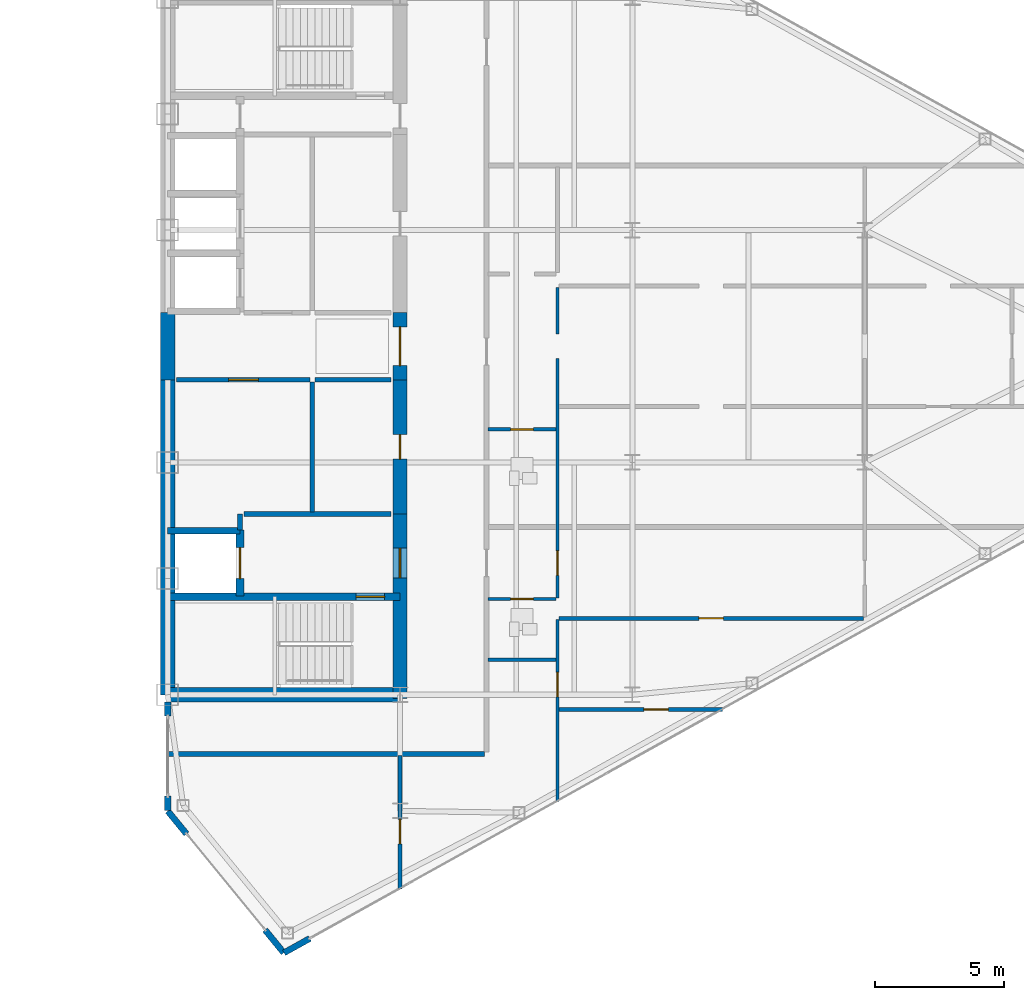
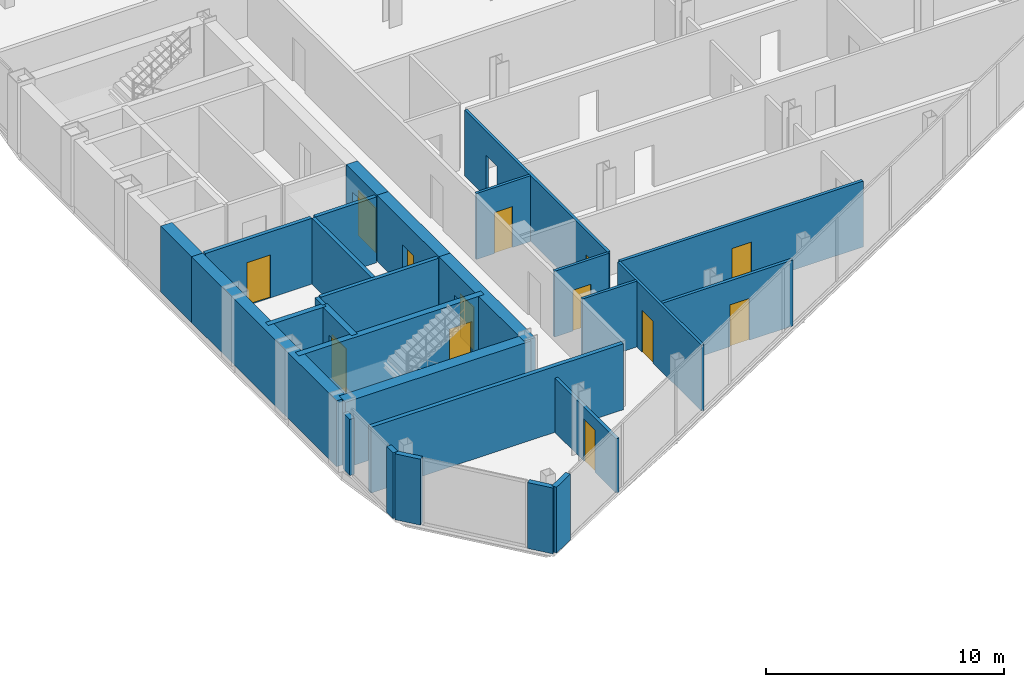
# One storey, part 21 of 26: 28 walls, 13 doors, 14 openings.
"""IFC4 building model written with IfcOpenShell, lengths in metres."""

from ifc_helpers import new_model, si_unit, direction, frame, frame_2d, origin, place, context, subcontext, project, spatial, rectangle, extrude, source, transform, mapped, material, layer, layer_set, type_object, type_shapes, element, fill, save


model = new_model("IFC4")

# Units and contexts
model_context = context("Model", 3, precision=1e-05, world=origin(), true_north=direction((0.0, 1.0)))
body_context = subcontext(model_context, "Body", "Model", "MODEL_VIEW")
ifc_project = project(units=[si_unit("LENGTHUNIT", "METRE"), si_unit("AREAUNIT", "SQUARE_METRE"), si_unit("VOLUMEUNIT", "CUBIC_METRE"), si_unit("PLANEANGLEUNIT", "RADIAN"), si_unit("MASSUNIT", "GRAM", prefix="KILO")], contexts=[model_context])

# Site, building, storey
site_placement = place(None, origin())
site = spatial("IfcSite", under=ifc_project, at=site_placement, CompositionType="ELEMENT")
building_placement = place(site_placement, origin())
building = spatial("IfcBuilding", under=site, at=building_placement, Name="Seokmaru Belvedere", CompositionType="ELEMENT")
storey_placement = place(building_placement, frame((0.0, 0.0, 170.699951171875)))
storey = spatial("IfcBuildingStorey", under=building, at=storey_placement, Name="L45", CompositionType="ELEMENT", Elevation=170.699951171875)

# Wall, opening, door
ifc_material_1 = material(Name="Fire-Rated Gypsum Shaftwall")
ifc_layer_1 = layer(ifc_material_1, 0.14990234375)
ifc_layer_set_1 = layer_set([ifc_layer_1], Name="Fire-Rated Gypsum Shaftwall")
wall_type_1 = type_object("IfcWallType", Name="Apartment Fire-Acoustic Room Partition 150", PredefinedType="PARTITIONING", material=ifc_layer_set_1)
wall_1_placement = place(storey_placement, frame((42.64990234375, -14.070068359375, 0.0), z_axis=(0.0, 0.0, 1.0), x_axis=(1.0, 0.0, 0.0)))
wall_1 = element("IfcWall", 1, at=wall_1_placement, inside=storey, type_object=wall_type_1, Name="L45 Interior Partition 003", PredefinedType="PARTITIONING", context=body_context, shape_type="SweptSolid", body=[
    extrude(rectangle(XDim=6.341064453125, YDim=0.14990234375, at=frame_2d((3.17041015625, 0.0))), origin(), (0.0, 0.0, 1.0), 3.380126953125),
])
opening_1_placement = place(wall_1_placement, frame((3.2919921875, 0.0, 0.0)))
opening_1 = element("IfcOpeningElement", 2, at=opening_1_placement, cuts=wall_1, Name="Opening D05", PredefinedType="OPENING", context=body_context, shape_type="SweptSolid", body=[
    extrude(rectangle(XDim=0.949951171875, YDim=2.14990234375, at=frame_2d((0.47509765625, 1.074951171875))), frame((0.0, 0.0849609375, 0.0), z_axis=(0.0, -1.0, 0.0), x_axis=(1.0, 0.0, 0.0)), (0.0, 0.0, 1.0), 0.169921875),
])
ifc_material_2 = material(Name="Engineered White Oak Timber", Category="wood")
door_type_1 = type_object("IfcDoorType", Name="Apartment Interior Fire-Rated Oak Door 950x2150", OperationType="NOTDEFINED", PredefinedType="DOOR", material=ifc_material_2)
shared_shape_1 = source(origin(), body_context, "Body", "SweptSolid", [
    extrude(rectangle(XDim=0.949951171875, YDim=2.14990234375, at=frame_2d((0.47509765625, 1.074951171875))), frame((0.0, 0.02490234375, 0.0), z_axis=(0.0, -1.0, 0.0), x_axis=(1.0, 0.0, 0.0)), (0.0, 0.0, 1.0), 0.050048828125),
])
type_shapes(door_type_1, [shared_shape_1])
door_1_placement = place(opening_1_placement, origin())
door_1 = element("IfcDoor", 3, at=door_1_placement, inside=storey, type_object=door_type_1, Name="L45 Interior Door 020", OperationType="SINGLE_SWING_LEFT", OverallHeight=2.14990234375, OverallWidth=0.949951171875, PredefinedType="DOOR", context=body_context, shape_type="MappedRepresentation", body=[
    mapped(shared_shape_1, transform((0.0, 0.0, 0.0), scale=1.0)),
])
fill(opening_1, door_1)

wall_2_placement = place(storey_placement, frame((42.64990234375, -10.5400390625, 0.0), z_axis=(0.0, 0.0, 1.0), x_axis=(1.0, 0.0, 0.0)))
wall_2 = element("IfcWall", 4, at=wall_2_placement, inside=storey, type_object=wall_type_1, Name="L45 Interior Partition 005", PredefinedType="PARTITIONING", context=body_context, shape_type="SweptSolid", body=[
    extrude(rectangle(XDim=11.800048828125, YDim=0.14990234375, at=frame_2d((5.89990234375, 0.0))), origin(), (0.0, 0.0, 1.0), 3.380126953125),
])
opening_2_placement = place(wall_2_placement, frame((5.425048828125, 0.0, 0.0)))
opening_2 = element("IfcOpeningElement", 5, at=opening_2_placement, cuts=wall_2, Name="Opening D05", PredefinedType="OPENING", context=body_context, shape_type="SweptSolid", body=[
    extrude(rectangle(XDim=0.949951171875, YDim=2.14990234375, at=frame_2d((0.47509765625, 1.074951171875))), frame((0.0, 0.0849609375, 0.0), z_axis=(0.0, -1.0, 0.0), x_axis=(1.0, 0.0, 0.0)), (0.0, 0.0, 1.0), 0.169921875),
])
door_2_placement = place(opening_2_placement, origin())
door_2 = element("IfcDoor", 6, at=door_2_placement, inside=storey, type_object=door_type_1, Name="L45 Interior Door 018", OperationType="SINGLE_SWING_LEFT", OverallHeight=2.14990234375, OverallWidth=0.949951171875, PredefinedType="DOOR", context=body_context, shape_type="MappedRepresentation", body=[
    mapped(shared_shape_1, transform((0.0, 0.0, 0.0), scale=1.0)),
])
fill(opening_2, door_2)

wall_3_placement = place(storey_placement, frame((36.5, -21.031982421875, 0.0), z_axis=(0.0, 0.0, 1.0), x_axis=(0.0, 1.0, 0.0)))
wall_3 = element("IfcWall", 7, at=wall_3_placement, inside=storey, type_object=wall_type_1, Name="L45 Interior Partition 026", PredefinedType="PARTITIONING", context=body_context, shape_type="SweptSolid", body=[
    extrude(rectangle(XDim=5.181884765625, YDim=0.14990234375, at=frame_2d((2.5908203125, 0.0))), origin(), (0.0, 0.0, 1.0), 2.780029296875),
])
opening_3_placement = place(wall_3_placement, frame((1.75390625, 0.0, 0.0)))
opening_3 = element("IfcOpeningElement", 8, at=opening_3_placement, cuts=wall_3, Name="Opening D05", PredefinedType="OPENING", context=body_context, shape_type="SweptSolid", body=[
    extrude(rectangle(XDim=0.949951171875, YDim=2.14990234375, at=frame_2d((0.47509765625, 1.074951171875))), frame((0.0, 0.0849609375, 0.0), z_axis=(0.0, -1.0, 0.0), x_axis=(1.0, 0.0, 0.0)), (0.0, 0.0, 1.0), 0.169921875),
])
door_3_placement = place(opening_3_placement, origin())
door_3 = element("IfcDoor", 9, at=door_3_placement, inside=storey, type_object=door_type_1, Name="L45 Interior Door 021", OperationType="SINGLE_SWING_LEFT", OverallHeight=2.14990234375, OverallWidth=0.949951171875, PredefinedType="DOOR", context=body_context, shape_type="MappedRepresentation", body=[
    mapped(shared_shape_1, transform((0.0, 0.0, 0.0), scale=1.0)),
])
fill(opening_3, door_3)

# Walls
ifc_layer_2 = layer(ifc_material_1, 0.179931640625)
ifc_layer_set_2 = layer_set([ifc_layer_2], Name="Fire-Rated Gypsum Shaftwall")
wall_type_2 = type_object("IfcWallType", Name="Core Service Fire Partition 180", PredefinedType="PARTITIONING", material=ifc_layer_set_2)
wall_4_placement = place(storey_placement, frame((30.449951171875, -6.5, 0.0), z_axis=(0.0, 0.0, 1.0), x_axis=(1.0, 0.0, 0.0)))
element("IfcWall", 10, at=wall_4_placement, inside=storey, type_object=wall_type_2, Name="L45 East Firefighting Lobby Partition", PredefinedType="PARTITIONING", context=body_context, shape_type="SweptSolid", body=[
    extrude(rectangle(XDim=5.699951171875, YDim=0.179931640625, at=frame_2d((2.85009765625, 0.0))), origin(), (0.0, 0.0, 1.0), 3.380126953125),
])
wall_5_placement = place(storey_placement, frame((30.300048828125, -7.1201171875, 0.0), z_axis=(0.0, 0.0, 1.0), x_axis=(0.0, 1.0, 0.0)))
element("IfcWall", 11, at=wall_5_placement, inside=storey, type_object=wall_type_2, Name="L45 East Firefighting Lobby East Closure Wall", PredefinedType="PARTITIONING", context=body_context, shape_type="SweptSolid", body=[
    extrude(rectangle(XDim=0.6201171875, YDim=0.179931640625, at=frame_2d((0.31005859375, 0.0))), origin(), (0.0, 0.0, 1.0), 3.380126953125),
])
wall_6_placement = place(storey_placement, frame((33.10009765625, -6.419921875, 0.0), z_axis=(0.0, 0.0, 1.0), x_axis=(0.0, 1.0, 0.0)))
element("IfcWall", 12, at=wall_6_placement, inside=storey, type_object=wall_type_2, Name="L45 East South Core Service Back Wall", PredefinedType="PARTITIONING", context=body_context, shape_type="SweptSolid", body=[
    extrude(rectangle(XDim=5.0400390625, YDim=0.179931640625, at=frame_2d((2.52001953125, 0.0))), origin(), (0.0, 0.0, 1.0), 3.380126953125),
])

# Wall, opening, door
wall_7_placement = place(storey_placement, frame((27.85009765625, -1.300048828125, 0.0), z_axis=(0.0, 0.0, 1.0), x_axis=(1.0, 0.0, 0.0)))
wall_7 = element("IfcWall", 13, at=wall_7_placement, inside=storey, type_object=wall_type_2, Name="L45 East South Lift Lobby Foyer Wall", PredefinedType="PARTITIONING", context=body_context, shape_type="SweptSolid", body=[
    extrude(rectangle(XDim=5.169921875, YDim=0.179931640625, at=frame_2d((2.5849609375, 0.0))), origin(), (0.0, 0.0, 1.0), 3.380126953125),
])
opening_4_placement = place(wall_7_placement, frame((2.010009765625, 0.0, 0.0)))
opening_4 = element("IfcOpeningElement", 14, at=opening_4_placement, cuts=wall_7, Name="Opening D02", PredefinedType="OPENING", context=body_context, shape_type="SweptSolid", body=[
    extrude(rectangle(XDim=1.14990234375, YDim=2.199951171875, at=frame_2d((0.574951171875, 1.10009765625))), frame((0.0, 0.10009765625, 0.0), z_axis=(0.0, -1.0, 0.0), x_axis=(1.0, 0.0, 0.0)), (0.0, 0.0, 1.0), 0.199951171875),
])
ifc_material_3 = material(Name="Fire-Rated Steel Leaf", Category="steel")
door_type_2 = type_object("IfcDoorType", Name="Lobby and Vestibule Fire Door 1150x2200", OperationType="NOTDEFINED", PredefinedType="DOOR", material=ifc_material_3)
shared_shape_2 = source(origin(), body_context, "Body", "SweptSolid", [
    extrude(rectangle(XDim=1.14990234375, YDim=2.199951171875, at=frame_2d((0.574951171875, 1.10009765625))), frame((0.0, 0.02490234375, 0.0), z_axis=(0.0, -1.0, 0.0), x_axis=(1.0, 0.0, 0.0)), (0.0, 0.0, 1.0), 0.050048828125),
])
type_shapes(door_type_2, [shared_shape_2])
door_4_placement = place(opening_4_placement, origin())
door_4 = element("IfcDoor", 15, at=door_4_placement, inside=storey, type_object=door_type_2, Name="L45 East South Core Foyer Door", OperationType="SINGLE_SWING_RIGHT", OverallHeight=2.199951171875, OverallWidth=1.14990234375, PredefinedType="DOOR", context=body_context, shape_type="MappedRepresentation", body=[
    mapped(shared_shape_2, transform((0.0, 0.0, 0.0), scale=1.0)),
])
fill(opening_4, door_4)

# Walls
wall_8_placement = place(storey_placement, frame((33.199951171875, -1.300048828125, 0.0), z_axis=(0.0, 0.0, 1.0), x_axis=(1.0, 0.0, 0.0)))
element("IfcWall", 16, at=wall_8_placement, inside=storey, type_object=wall_type_2, Name="L45 East Foyer Side Wall S", PredefinedType="PARTITIONING", context=body_context, shape_type="SweptSolid", body=[
    extrude(rectangle(XDim=2.949951171875, YDim=0.179931640625, at=frame_2d((1.47509765625, 0.0))), origin(), (0.0, 0.0, 1.0), 3.380126953125),
])
ifc_material_4 = material(Name="Concrete C50 (50 MPa)", Category="concrete")
ifc_layer_3 = layer(ifc_material_4, 0.25)
ifc_layer_set_3 = layer_set([ifc_layer_3], Name="Concrete C50 (50 MPa)")
wall_type_3 = type_object("IfcWallType", Name="Hoistway Transverse Concrete Divider Wall 250", PredefinedType="SHEAR", material=ifc_layer_set_3)
wall_9_placement = place(storey_placement, frame((27.5, -7.14990234375, 0.0), z_axis=(0.0, 0.0, 1.0), x_axis=(1.0, 0.0, 0.0)))
element("IfcWall", 17, at=wall_9_placement, inside=storey, type_object=wall_type_3, Name="L45 East Hoistway Divider Core Wall 1", PredefinedType="SHEAR", context=body_context, shape_type="SweptSolid", body=[
    extrude(rectangle(XDim=2.800048828125, YDim=0.25, at=frame_2d((1.39990234375, 0.0))), origin(), (0.0, 0.0, 1.0), 3.380126953125),
])
ifc_layer_4 = layer(ifc_material_1, 0.199951171875)
ifc_layer_set_4 = layer_set([ifc_layer_4], Name="Fire-Rated Gypsum Shaftwall")
wall_type_4 = type_object("IfcWallType", Name="Inter-Tenancy Fire Compartment Partition 200", PredefinedType="PARTITIONING", material=ifc_layer_set_4)
wall_10_placement = place(storey_placement, frame((27.5, -15.800048828125, 0.0), z_axis=(0.0, 0.0, 1.0), x_axis=(1.0, 0.0, 0.0)))
element("IfcWall", 18, at=wall_10_placement, inside=storey, type_object=wall_type_4, Name="L45 Interior Partition 002", PredefinedType="PARTITIONING", context=body_context, shape_type="SweptSolid", body=[
    extrude(rectangle(XDim=12.264892578125, YDim=0.199951171875, at=frame_2d((6.13232421875, 0.0))), origin(), (0.0, 0.0, 1.0), 3.380126953125),
])

# Wall, opening, door
ifc_layer_5 = layer(ifc_material_4, 0.300048828125)
ifc_layer_set_5 = layer_set([ifc_layer_5], Name="Concrete C50 (50 MPa)")
wall_type_5 = type_object("IfcWallType", Name="Internal Core Stair and Hoistway Wall 300", PredefinedType="SHEAR", material=ifc_layer_set_5)
wall_11_placement = place(storey_placement, frame((27.5, -9.699951171875, 0.0), z_axis=(0.0, 0.0, 1.0), x_axis=(1.0, 0.0, 0.0)))
wall_11 = element("IfcWall", 19, at=wall_11_placement, inside=storey, type_object=wall_type_5, Name="L45 East Stair ST-1 Enclosure Wall", PredefinedType="SHEAR", context=body_context, shape_type="SweptSolid", body=[
    extrude(rectangle(XDim=9.0, YDim=0.300048828125, at=frame_2d((4.5, 0.0))), origin(), (0.0, 0.0, 1.0), 3.380126953125),
])
opening_5_placement = place(wall_11_placement, frame((7.300048828125, 0.0, 0.0)))
opening_5 = element("IfcOpeningElement", 20, at=opening_5_placement, cuts=wall_11, Name="Opening D01", PredefinedType="OPENING", context=body_context, shape_type="SweptSolid", body=[
    extrude(rectangle(XDim=1.10009765625, YDim=2.199951171875, at=frame_2d((0.550048828125, 1.10009765625))), frame((0.0, 0.16015625, 0.0), z_axis=(0.0, -1.0, 0.0), x_axis=(1.0, 0.0, 0.0)), (0.0, 0.0, 1.0), 0.320068359375),
])
door_type_3 = type_object("IfcDoorType", Name="Special Escape Stair Smokeproof Fire Door 1100x2200", OperationType="NOTDEFINED", PredefinedType="DOOR", material=ifc_material_3)
shared_shape_3 = source(origin(), body_context, "Body", "SweptSolid", [
    extrude(rectangle(XDim=1.10009765625, YDim=2.199951171875, at=frame_2d((0.550048828125, 1.10009765625))), frame((0.0, 0.02490234375, 0.0), z_axis=(0.0, -1.0, 0.0), x_axis=(1.0, 0.0, 0.0)), (0.0, 0.0, 1.0), 0.050048828125),
])
type_shapes(door_type_3, [shared_shape_3])
door_5_placement = place(opening_5_placement, frame((1.10009765625, 0.0, 0.0), z_axis=(0.0, 0.0, 1.0), x_axis=(-1.0, 0.0, 0.0)))
door_5 = element("IfcDoor", 21, at=door_5_placement, inside=storey, type_object=door_type_3, Name="L45 East Special Escape Stair ST-1 Door", OperationType="SINGLE_SWING_RIGHT", OverallHeight=2.199951171875, OverallWidth=1.10009765625, PredefinedType="DOOR", context=body_context, shape_type="MappedRepresentation", body=[
    mapped(shared_shape_3, transform((0.0, 0.0, 0.0), scale=1.0)),
])
fill(opening_5, door_5)

wall_12_placement = place(storey_placement, frame((30.300048828125, -9.679931640625, 0.0), z_axis=(0.0, 0.0, 1.0), x_axis=(0.0, 1.0, 0.0)))
wall_12 = element("IfcWall", 22, at=wall_12_placement, inside=storey, type_object=wall_type_5, Name="L45 East Firefighting Lift Shaft Front Wall", PredefinedType="SHEAR", context=body_context, shape_type="SweptSolid", body=[
    extrude(rectangle(XDim=2.559814453125, YDim=0.300048828125, at=frame_2d((1.27978515625, 0.0))), origin(), (0.0, 0.0, 1.0), 3.380126953125),
])
opening_6_placement = place(wall_12_placement, frame((0.679931640625, 0.0, 0.0)))
opening_6 = element("IfcOpeningElement", 23, at=opening_6_placement, cuts=wall_12, Name="Opening LD2", PredefinedType="OPENING", context=body_context, shape_type="SweptSolid", body=[
    extrude(rectangle(XDim=1.199951171875, YDim=2.25, at=frame_2d((0.60009765625, 1.125))), frame((0.0, 0.16015625, 0.0), z_axis=(0.0, -1.0, 0.0), x_axis=(1.0, 0.0, 0.0)), (0.0, 0.0, 1.0), 0.320068359375),
])
ifc_material_5 = material(Name="Stainless Steel 316", Category="steel")
door_type_4 = type_object("IfcDoorType", Name="Firefighting Lift Sliding Landing Door 1200x2250", OperationType="DOUBLE_DOOR_SLIDING", PredefinedType="DOOR", material=ifc_material_5)
shared_shape_4 = source(origin(), body_context, "Body", "SweptSolid", [
    extrude(rectangle(XDim=1.199951171875, YDim=2.25, at=frame_2d((0.60009765625, 1.125))), frame((0.0, 0.02490234375, 0.0), z_axis=(0.0, -1.0, 0.0), x_axis=(1.0, 0.0, 0.0)), (0.0, 0.0, 1.0), 0.050048828125),
])
type_shapes(door_type_4, [shared_shape_4])
door_6_placement = place(opening_6_placement, origin())
door_6 = element("IfcDoor", 24, at=door_6_placement, inside=storey, type_object=door_type_4, Name="L45 East Firefighting Lift Landing Door", OperationType="DOUBLE_DOOR_SLIDING", OverallHeight=2.25, OverallWidth=1.199951171875, PredefinedType="DOOR", context=body_context, shape_type="MappedRepresentation", body=[
    mapped(shared_shape_4, transform((0.0, 0.0, 0.0), scale=1.0)),
])
fill(opening_6, door_6)

# Walls
ifc_layer_6 = layer(ifc_material_4, 0.550048828125)
ifc_layer_set_6 = layer_set([ifc_layer_6], Name="Concrete C50 (50 MPa)")
wall_type_6 = type_object("IfcWallType", Name="Mid-High Reinforced Concrete Core Wall 550", PredefinedType="SHEAR", material=ifc_layer_set_6)
wall_13_placement = place(storey_placement, frame((27.5, -13.5, 0.0), z_axis=(0.0, 0.0, 1.0), x_axis=(0.0, 1.0, 0.0)))
element("IfcWall", 25, at=wall_13_placement, inside=storey, type_object=wall_type_6, Name="L45 East Portal Spine Core Wall South", PredefinedType="SHEAR", context=body_context, shape_type="SweptSolid", body=[
    extrude(rectangle(XDim=12.199951171875, YDim=0.550048828125, at=frame_2d((6.10009765625, 0.0))), origin(), (0.0, 0.0, 1.0), 3.380126953125),
])
wall_14_placement = place(storey_placement, frame((27.5, -1.300048828125, 0.0), z_axis=(0.0, 0.0, 1.0), x_axis=(0.0, 1.0, 0.0)))
element("IfcWall", 26, at=wall_14_placement, inside=storey, type_object=wall_type_6, Name="L45 East Portal Spine Core Wall Center", PredefinedType="SHEAR", context=body_context, shape_type="SweptSolid", body=[
    extrude(rectangle(XDim=2.60009765625, YDim=0.550048828125, at=frame_2d((1.300048828125, 0.0))), origin(), (0.0, 0.0, 1.0), 3.380126953125),
])
wall_15_placement = place(storey_placement, frame((27.5, -13.5, 0.0), z_axis=(0.0, 0.0, 1.0), x_axis=(1.0, 0.0, 0.0)))
element("IfcWall", 27, at=wall_15_placement, inside=storey, type_object=wall_type_6, Name="L45 East South Core Wall", PredefinedType="SHEAR", context=body_context, shape_type="SweptSolid", body=[
    extrude(rectangle(XDim=9.0, YDim=0.550048828125, at=frame_2d((4.5, 0.0))), origin(), (0.0, 0.0, 1.0), 3.380126953125),
])

# Wall, opening, door
wall_16_placement = place(storey_placement, frame((36.5, -13.64990234375, 0.0), z_axis=(0.0, 0.0, 1.0), x_axis=(0.0, 1.0, 0.0)))
wall_16 = element("IfcWall", 28, at=wall_16_placement, inside=storey, type_object=wall_type_6, Name="L45 East West Core Wall FF", PredefinedType="SHEAR", context=body_context, shape_type="SweptSolid", body=[
    extrude(rectangle(XDim=7.14990234375, YDim=0.550048828125, at=frame_2d((3.574951171875, 0.0))), origin(), (0.0, 0.0, 1.0), 3.380126953125),
])
opening_7_placement = place(wall_16_placement, frame((4.675048828125, 0.0, 0.0)))
opening_7 = element("IfcOpeningElement", 29, at=opening_7_placement, cuts=wall_16, Name="Opening D02", PredefinedType="OPENING", context=body_context, shape_type="SweptSolid", body=[
    extrude(rectangle(XDim=1.14990234375, YDim=2.199951171875, at=frame_2d((0.574951171875, 1.10009765625))), frame((0.0, 0.28515625, 0.0), z_axis=(0.0, -1.0, 0.0), x_axis=(1.0, 0.0, 0.0)), (0.0, 0.0, 1.0), 0.570068359375),
])
door_7_placement = place(opening_7_placement, origin())
door_7 = element("IfcDoor", 30, at=door_7_placement, inside=storey, type_object=door_type_2, Name="L45 East Firefighting Lobby Door", OperationType="SINGLE_SWING_RIGHT", OverallHeight=2.199951171875, OverallWidth=1.14990234375, PredefinedType="DOOR", context=body_context, shape_type="MappedRepresentation", body=[
    mapped(shared_shape_2, transform((0.0, 0.0, 0.0), scale=1.0)),
])
fill(opening_7, door_7)

wall_17_placement = place(storey_placement, frame((36.5, -1.300048828125, 0.0), z_axis=(0.0, 0.0, 1.0), x_axis=(0.0, 1.0, 0.0)))
wall_17 = element("IfcWall", 31, at=wall_17_placement, inside=storey, type_object=wall_type_6, Name="L45 East West Core Wall FOY", PredefinedType="SHEAR", context=body_context, shape_type="SweptSolid", body=[
    extrude(rectangle(XDim=2.60009765625, YDim=0.550048828125, at=frame_2d((1.300048828125, 0.0))), origin(), (0.0, 0.0, 1.0), 3.380126953125),
])
opening_8_placement = place(wall_17_placement, frame((0.550048828125, 0.0, 0.0)))
opening_8 = element("IfcOpeningElement", 32, at=opening_8_placement, cuts=wall_17, Name="Opening D08", PredefinedType="OPENING", context=body_context, shape_type="SweptSolid", body=[
    extrude(rectangle(XDim=1.5, YDim=2.300048828125, at=frame_2d((0.75, 1.14990234375))), frame((0.0, 0.28515625, 0.0), z_axis=(0.0, -1.0, 0.0), x_axis=(1.0, 0.0, 0.0)), (0.0, 0.0, 1.0), 0.570068359375),
])
door_type_5 = type_object("IfcDoorType", Name="Cross-Corridor Compartment Double Fire Door 1500x2300", OperationType="DOUBLE_SWING_LEFT", PredefinedType="DOOR", material=ifc_material_3)
shared_shape_5 = source(origin(), body_context, "Body", "SweptSolid", [
    extrude(rectangle(XDim=1.5, YDim=2.300048828125, at=frame_2d((0.75, 1.14990234375))), frame((0.0, 0.02490234375, 0.0), z_axis=(0.0, -1.0, 0.0), x_axis=(1.0, 0.0, 0.0)), (0.0, 0.0, 1.0), 0.050048828125),
])
type_shapes(door_type_5, [shared_shape_5])
door_8_placement = place(opening_8_placement, origin())
door_8 = element("IfcDoor", 33, at=door_8_placement, inside=storey, type_object=door_type_5, Name="L45 East Core Foyer Compartment Door", OperationType="DOUBLE_SWING_LEFT", OverallHeight=2.300048828125, OverallWidth=1.5, PredefinedType="DOOR", context=body_context, shape_type="MappedRepresentation", body=[
    mapped(shared_shape_5, transform((0.0, 0.0, 0.0), scale=1.0)),
])
fill(opening_8, door_8)

wall_18_placement = place(storey_placement, frame((36.5, -6.5, 0.0), z_axis=(0.0, 0.0, 1.0), x_axis=(0.0, 1.0, 0.0)))
wall_18 = element("IfcWall", 34, at=wall_18_placement, inside=storey, type_object=wall_type_6, Name="L45 East West Core Wall CS1", PredefinedType="SHEAR", context=body_context, shape_type="SweptSolid", body=[
    extrude(rectangle(XDim=5.199951171875, YDim=0.550048828125, at=frame_2d((2.60009765625, 0.0))), origin(), (0.0, 0.0, 1.0), 3.380126953125),
])
opening_9_placement = place(wall_18_placement, frame((2.125, 0.0, 0.0)))
opening_9 = element("IfcOpeningElement", 35, at=opening_9_placement, cuts=wall_18, Name="Opening D04", PredefinedType="OPENING", context=body_context, shape_type="SweptSolid", body=[
    extrude(rectangle(XDim=0.949951171875, YDim=2.14990234375, at=frame_2d((0.47509765625, 1.074951171875))), frame((0.0, 0.28515625, 0.0), z_axis=(0.0, -1.0, 0.0), x_axis=(1.0, 0.0, 0.0)), (0.0, 0.0, 1.0), 0.570068359375),
])
door_type_6 = type_object("IfcDoorType", Name="Core Service Room Fire Door 950x2150", OperationType="NOTDEFINED", PredefinedType="DOOR", material=ifc_material_3)
shared_shape_6 = source(origin(), body_context, "Body", "SweptSolid", [
    extrude(rectangle(XDim=0.949951171875, YDim=2.14990234375, at=frame_2d((0.47509765625, 1.074951171875))), frame((0.0, 0.02490234375, 0.0), z_axis=(0.0, -1.0, 0.0), x_axis=(1.0, 0.0, 0.0)), (0.0, 0.0, 1.0), 0.050048828125),
])
type_shapes(door_type_6, [shared_shape_6])
door_9_placement = place(opening_9_placement, origin())
door_9 = element("IfcDoor", 36, at=door_9_placement, inside=storey, type_object=door_type_6, Name="L45 East Core Service Room Door 1", OperationType="SINGLE_SWING_RIGHT", OverallHeight=2.14990234375, OverallWidth=0.949951171875, PredefinedType="DOOR", context=body_context, shape_type="MappedRepresentation", body=[
    mapped(shared_shape_6, transform((0.0, 0.0, 0.0), scale=1.0)),
])
fill(opening_9, door_9)

# Wall
ifc_layer_7 = layer(ifc_material_1, 0.1298828125)
ifc_layer_set_7 = layer_set([ifc_layer_7], Name="Fire-Rated Gypsum Shaftwall")
wall_type_7 = type_object("IfcWallType", Name="Moisture-Resistant Fire-Rated Bathroom Partition 130", PredefinedType="PARTITIONING", material=ifc_layer_set_7)
wall_19_placement = place(storey_placement, frame((39.89990234375, -12.139892578125, 0.0), z_axis=(0.0, 0.0, 1.0), x_axis=(1.0, 0.0, 0.0)))
element("IfcWall", 37, at=wall_19_placement, inside=storey, type_object=wall_type_7, Name="L45 Interior Partition 004", PredefinedType="PARTITIONING", context=body_context, shape_type="SweptSolid", body=[
    extrude(rectangle(XDim=2.650146484375, YDim=0.1298828125, at=frame_2d((1.3251953125, 0.0))), origin(), (0.0, 0.0, 1.0), 3.380126953125),
])

# Wall, opening, door
wall_20_placement = place(storey_placement, frame((39.89990234375, -9.7900390625, 0.0), z_axis=(0.0, 0.0, 1.0), x_axis=(1.0, 0.0, 0.0)))
wall_20 = element("IfcWall", 38, at=wall_20_placement, inside=storey, type_object=wall_type_7, Name="L45 Interior Partition 006", PredefinedType="PARTITIONING", context=body_context, shape_type="SweptSolid", body=[
    extrude(rectangle(XDim=2.650146484375, YDim=0.1298828125, at=frame_2d((1.3251953125, 0.0))), origin(), (0.0, 0.0, 1.0), 3.380126953125),
])
opening_10_placement = place(wall_20_placement, frame((0.885009765625, 0.0, 0.0)))
opening_10 = element("IfcOpeningElement", 39, at=opening_10_placement, cuts=wall_20, Name="Opening D06", PredefinedType="OPENING", context=body_context, shape_type="SweptSolid", body=[
    extrude(rectangle(XDim=0.8798828125, YDim=2.10009765625, at=frame_2d((0.43994140625, 1.050048828125))), frame((0.0, 0.074951171875, 0.0), z_axis=(0.0, -1.0, 0.0), x_axis=(1.0, 0.0, 0.0)), (0.0, 0.0, 1.0), 0.14990234375),
])
door_type_7 = type_object("IfcDoorType", Name="Bathroom and Restroom Fire-Rated Door 880x2100", OperationType="NOTDEFINED", PredefinedType="DOOR", material=ifc_material_2)
shared_shape_7 = source(origin(), body_context, "Body", "SweptSolid", [
    extrude(rectangle(XDim=0.8798828125, YDim=2.10009765625, at=frame_2d((0.43994140625, 1.050048828125))), frame((0.0, 0.02490234375, 0.0), z_axis=(0.0, -1.0, 0.0), x_axis=(1.0, 0.0, 0.0)), (0.0, 0.0, 1.0), 0.050048828125),
])
type_shapes(door_type_7, [shared_shape_7])
door_10_placement = place(opening_10_placement, origin())
door_10 = element("IfcDoor", 40, at=door_10_placement, inside=storey, type_object=door_type_7, Name="L45 Interior Door 015", OperationType="SINGLE_SWING_RIGHT", OverallHeight=2.10009765625, OverallWidth=0.8798828125, PredefinedType="DOOR", context=body_context, shape_type="MappedRepresentation", body=[
    mapped(shared_shape_7, transform((0.0, 0.0, 0.0), scale=1.0)),
])
fill(opening_10, door_10)

wall_21_placement = place(storey_placement, frame((39.89990234375, -3.219970703125, 0.0), z_axis=(0.0, 0.0, 1.0), x_axis=(1.0, 0.0, 0.0)))
wall_21 = element("IfcWall", 41, at=wall_21_placement, inside=storey, type_object=wall_type_7, Name="L45 Interior Partition 011", PredefinedType="PARTITIONING", context=body_context, shape_type="SweptSolid", body=[
    extrude(rectangle(XDim=2.650146484375, YDim=0.1298828125, at=frame_2d((1.3251953125, 0.0))), origin(), (0.0, 0.0, 1.0), 3.380126953125),
])
opening_11_placement = place(wall_21_placement, frame((0.885009765625, 0.0, 0.0)))
opening_11 = element("IfcOpeningElement", 42, at=opening_11_placement, cuts=wall_21, Name="Opening D06", PredefinedType="OPENING", context=body_context, shape_type="SweptSolid", body=[
    extrude(rectangle(XDim=0.8798828125, YDim=2.10009765625, at=frame_2d((0.43994140625, 1.050048828125))), frame((0.0, 0.074951171875, 0.0), z_axis=(0.0, -1.0, 0.0), x_axis=(1.0, 0.0, 0.0)), (0.0, 0.0, 1.0), 0.14990234375),
])
door_11_placement = place(opening_11_placement, origin())
door_11 = element("IfcDoor", 43, at=door_11_placement, inside=storey, type_object=door_type_7, Name="L45 Interior Door 023", OperationType="SINGLE_SWING_RIGHT", OverallHeight=2.10009765625, OverallWidth=0.8798828125, PredefinedType="DOOR", context=body_context, shape_type="MappedRepresentation", body=[
    mapped(shared_shape_7, transform((0.0, 0.0, 0.0), scale=1.0)),
])
fill(opening_11, door_11)

wall_22_placement = place(storey_placement, frame((42.60009765625, -17.639892578125, 0.0), z_axis=(0.0, 0.0, 1.0), x_axis=(0.0, 1.0, 0.0)))
wall_22 = element("IfcWall", 44, at=wall_22_placement, inside=storey, type_object=wall_type_7, Name="L45 Interior Partition 028", PredefinedType="PARTITIONING", context=body_context, shape_type="SweptSolid", body=[
    extrude(rectangle(XDim=7.054931640625, YDim=0.1298828125, at=frame_2d((3.52734375, 0.0))), origin(), (0.0, 0.0, 1.0), 3.380126953125),
])
opening_12_placement = place(wall_22_placement, frame((4.0576171875, 0.0, 0.0)))
opening_12 = element("IfcOpeningElement", 45, at=opening_12_placement, cuts=wall_22, Name="Opening D05", PredefinedType="OPENING", context=body_context, shape_type="SweptSolid", body=[
    extrude(rectangle(XDim=0.949951171875, YDim=2.14990234375, at=frame_2d((0.47509765625, 1.074951171875))), frame((0.0, 0.074951171875, 0.0), z_axis=(0.0, -1.0, 0.0), x_axis=(1.0, 0.0, 0.0)), (0.0, 0.0, 1.0), 0.14990234375),
])
door_12_placement = place(opening_12_placement, origin())
door_12 = element("IfcDoor", 46, at=door_12_placement, inside=storey, type_object=door_type_1, Name="L45 Interior Door 019", OperationType="SINGLE_SWING_RIGHT", OverallHeight=2.14990234375, OverallWidth=0.949951171875, PredefinedType="DOOR", context=body_context, shape_type="MappedRepresentation", body=[
    mapped(shared_shape_1, transform((0.0, 0.0, 0.0), scale=1.0)),
])
fill(opening_12, door_12)

# Wall, openings, door
wall_23_placement = place(storey_placement, frame((42.60009765625, -9.7451171875, 0.0), z_axis=(0.0, 0.0, 1.0), x_axis=(0.0, 1.0, 0.0)))
wall_23 = element("IfcWall", 47, at=wall_23_placement, inside=storey, type_object=wall_type_7, Name="L45 Interior Partition 029", PredefinedType="PARTITIONING", context=body_context, shape_type="SweptSolid", body=[
    extrude(rectangle(XDim=12.028076171875, YDim=0.1298828125, at=frame_2d((6.01416015625, 0.0))), origin(), (0.0, 0.0, 1.0), 3.380126953125),
])
opening_13_placement = place(wall_23_placement, frame((0.87255859375, 0.0, 0.0)))
opening_13 = element("IfcOpeningElement", 48, at=opening_13_placement, cuts=wall_23, Name="Opening D05", PredefinedType="OPENING", context=body_context, shape_type="SweptSolid", body=[
    extrude(rectangle(XDim=0.949951171875, YDim=2.14990234375, at=frame_2d((0.47509765625, 1.074951171875))), frame((0.0, 0.074951171875, 0.0), z_axis=(0.0, -1.0, 0.0), x_axis=(1.0, 0.0, 0.0)), (0.0, 0.0, 1.0), 0.14990234375),
])
opening_14_placement = place(wall_23_placement, frame((9.27001953125, 0.0, 0.0)))
element("IfcOpeningElement", 49, at=opening_14_placement, cuts=wall_23, Name="L45 Cased Opening 025", PredefinedType="OPENING", context=body_context, shape_type="SweptSolid", body=[
    extrude(rectangle(XDim=0.949951171875, YDim=2.14990234375, at=frame_2d((0.47509765625, 1.074951171875))), frame((0.0, 0.074951171875, 0.0), z_axis=(0.0, -1.0, 0.0), x_axis=(1.0, 0.0, 0.0)), (0.0, 0.0, 1.0), 0.14990234375),
])
door_13_placement = place(opening_13_placement, origin())
door_13 = element("IfcDoor", 50, at=door_13_placement, inside=storey, type_object=door_type_1, Name="L45 Interior Door 016", OperationType="SINGLE_SWING_LEFT", OverallHeight=2.14990234375, OverallWidth=0.949951171875, PredefinedType="DOOR", context=body_context, shape_type="MappedRepresentation", body=[
    mapped(shared_shape_1, transform((0.0, 0.0, 0.0), scale=1.0)),
])
fill(opening_13, door_13)

# Walls
ifc_material_6 = material(Name="Anodised Bronze Aluminium", Category="aluminium")
ifc_layer_8 = layer(ifc_material_6, 0.239990234375)
ifc_layer_set_8 = layer_set([ifc_layer_8], Name="Anodised Bronze Aluminium")
wall_type_8 = type_object("IfcWallType", Name="Tower Corner Spandrel Closure Wall 240", PredefinedType="SOLIDWALL", material=ifc_layer_set_8)
wall_24_placement = place(storey_placement, frame((32.0087890625, -23.4951171875, 0.0), z_axis=(0.0, 0.0, 1.0), x_axis=(0.87385402111, 0.486188389196, 0.0)))
element("IfcWall", 51, at=wall_24_placement, inside=storey, type_object=wall_type_8, Name="L45 E Corner Closure Pier 1A", PredefinedType="SOLIDWALL", context=body_context, shape_type="SweptSolid", body=[
    extrude(rectangle(XDim=1.139892578125, YDim=0.239990234375, at=frame_2d((0.56982421875, 0.0))), origin(), (0.0, 0.0, 1.0), 3.380126953125),
])
wall_25_placement = place(storey_placement, frame((27.5, -17.97998046875, 0.0), z_axis=(0.0, 0.0, 1.0), x_axis=(0.0, 1.0, 0.0)))
element("IfcWall", 52, at=wall_25_placement, inside=storey, type_object=wall_type_8, Name="L45 E Spine Closure Pier 1A", PredefinedType="SOLIDWALL", context=body_context, shape_type="SweptSolid", body=[
    extrude(rectangle(XDim=0.550048828125, YDim=0.239990234375, at=frame_2d((0.27490234375, 0.0))), origin(), (0.0, 0.0, 1.0), 3.380126953125),
])
wall_26_placement = place(storey_placement, frame((27.5, -14.330078125, 0.0), z_axis=(0.0, 0.0, 1.0), x_axis=(0.0, 1.0, 0.0)))
element("IfcWall", 53, at=wall_26_placement, inside=storey, type_object=wall_type_8, Name="L45 E Spine Closure Pier 1B", PredefinedType="SOLIDWALL", context=body_context, shape_type="SweptSolid", body=[
    extrude(rectangle(XDim=0.550048828125, YDim=0.239990234375, at=frame_2d((0.27490234375, 0.0))), origin(), (0.0, 0.0, 1.0), 2.880126953125),
])
for number, where, z_axis, x_axis, name in (
    (54, (27.50634765625, -18.0078125, 0.0), (0.0, 0.0, 1.0), (0.633249451965, -0.77394775766, 0.0), "L45 E Corner Closure Pier 6A"),
    (55, (31.271728515625, -22.60986328125, 0.0), (0.0, 0.0, 1.0), (0.633249451965, -0.77394775766, 0.0), "L45 E Corner Closure Pier 6B"),
):
    element("IfcWall", number, at=place(storey_placement, frame(where, z_axis=z_axis, x_axis=x_axis)), inside=storey, type_object=wall_type_8, Name=name, PredefinedType="SOLIDWALL", context=body_context, shape_type="SweptSolid", body=[
        extrude(rectangle(XDim=1.14013671875, YDim=0.239990234375, at=frame_2d((0.570068359375, 0.0))), origin(), (0.0, 0.0, 1.0), 3.380126953125),
    ])

save(model, "model.ifc")
